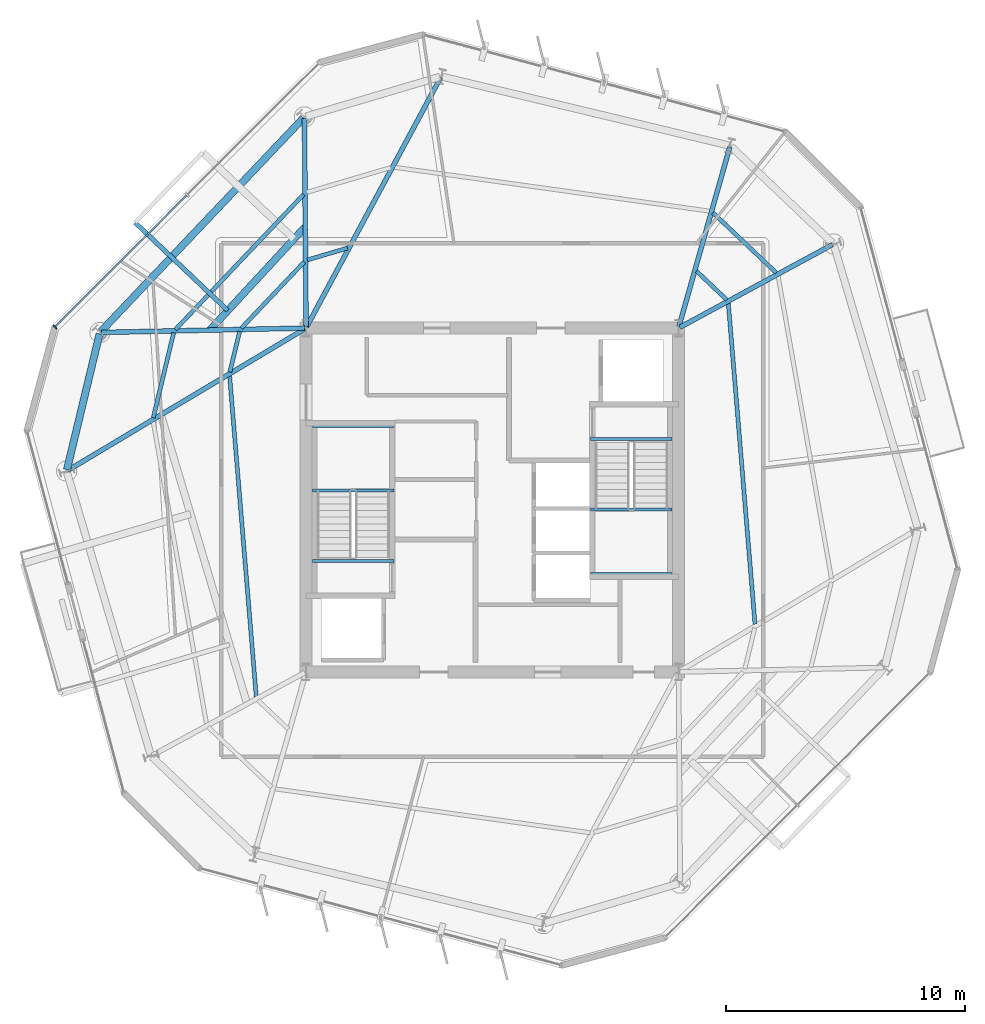
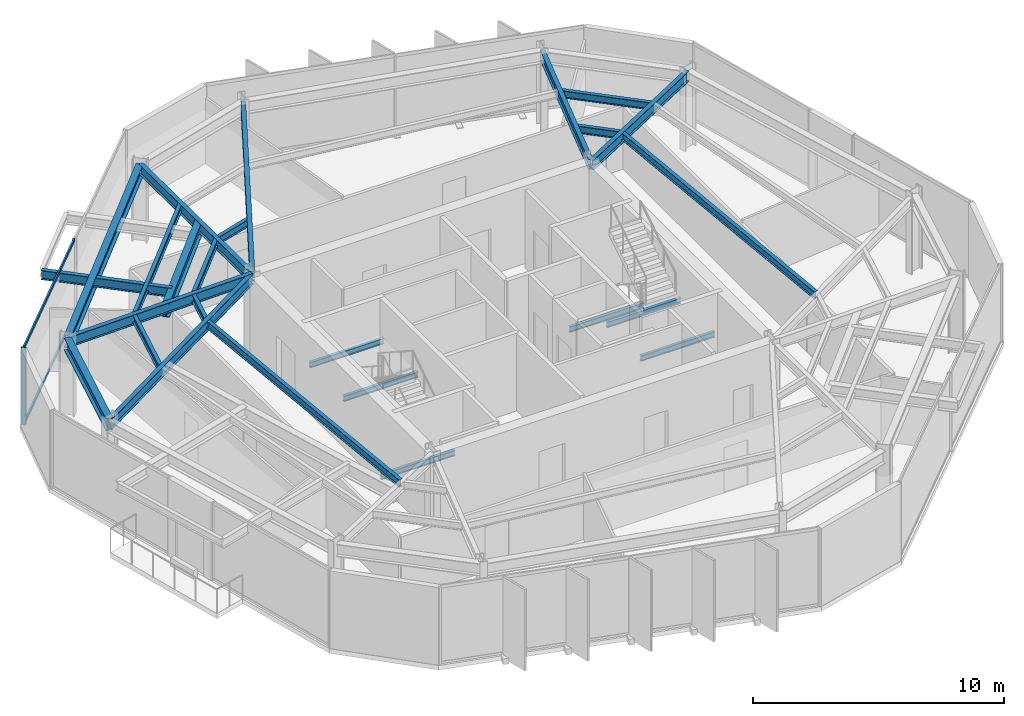
# One storey, part 4 of 12: 25 beams, 3 members, 1 element without a shape of its own.
"""IFC4 building model written with IfcOpenShell, lengths in metres."""

from ifc_helpers import new_model, si_unit, direction, frame, origin, origin_2d, place, context, subcontext, project, spatial, rectangle, i_section, extrude, material, layer, layer_set, material_profile, profile_set, type_object, element, aggregate, save


model = new_model("IFC4")

# Units and contexts
model_context = context("Model", 3, precision=1e-05, world=origin(), true_north=direction((0.0, 1.0)))
body_context = subcontext(model_context, "Body", "Model", "MODEL_VIEW")
ifc_project = project(units=[si_unit("LENGTHUNIT", "METRE"), si_unit("AREAUNIT", "SQUARE_METRE"), si_unit("VOLUMEUNIT", "CUBIC_METRE"), si_unit("PLANEANGLEUNIT", "RADIAN"), si_unit("MASSUNIT", "GRAM", prefix="KILO")], contexts=[model_context])

# Site, building, storey
site_placement = place(None, origin())
site = spatial("IfcSite", under=ifc_project, at=site_placement, CompositionType="ELEMENT")
building_placement = place(site_placement, origin())
building = spatial("IfcBuilding", under=site, at=building_placement, Name="Kranzbogen Civic Tower", CompositionType="ELEMENT")
storey_placement = place(building_placement, frame((0.0, 0.0, 204.800048828125)))
storey = spatial("IfcBuildingStorey", under=building, at=storey_placement, Name="L49", CompositionType="ELEMENT", Elevation=204.800048828125)

# Beam
ifc_material_1 = material(Name="Steel S355", Category="steel")
ifc_material_profile_1 = material_profile(ifc_material_1, i_section(OverallWidth=0.18994140625, OverallDepth=0.449951171875, WebThickness=0.009521484375, FlangeThickness=0.0146484375, at=origin_2d()), Name="IPE 450")
ifc_profile_set_1 = profile_set([ifc_material_profile_1], Name="Steel S355")
beam_type_1 = type_object("IfcBeamType", Name="Braced Terrace Edge Beam IPE 450", PredefinedType="BEAM", material=ifc_profile_set_1)
beam_1_placement = place(storey_placement, frame((13.924072265625, 32.93408203125, 3.52490234375), z_axis=(-0.725467201418, 0.688256739645, 0.0), x_axis=(-0.688256739645, -0.725467201418, 0.0)))
element("IfcBeam", 1, at=beam_1_placement, inside=storey, type_object=beam_type_1, Name="L50 back-spanned terrace beam L50-TB1-2", PredefinedType="BEAM", context=body_context, shape_type="SweptSolid", body=[
    extrude(i_section(OverallWidth=0.18994140625, OverallDepth=0.449951171875, WebThickness=0.009521484375, FlangeThickness=0.0146484375, at=origin_2d()), origin(), (0.0, 0.0, 1.0), 5.353759765625),
])

# Curtain wall, members
ifc_material_2 = material(Name="Pale Anodised Aluminium", Category="aluminium")
ifc_layer = layer(ifc_material_2, 0.219970703125, Name="Pale Anodised Aluminium")
ifc_layer_set = layer_set([ifc_layer], Name="Pale Anodised Aluminium")
curtain_wall_type = type_object("IfcCurtainWallType", Name="Zone 3 Stick Curtain Wall System CW-04", PredefinedType="USERDEFINED", material=ifc_layer_set)
curtain_wall_placement = place(storey_placement, origin())
curtain_wall = element("IfcCurtainWall", 2, at=curtain_wall_placement, inside=storey, type_object=curtain_wall_type, Name="L49 curtain wall CW-L49-F2", ObjectType="STICK CURTAIN WALL", PredefinedType="USERDEFINED")
ifc_material_profile_2 = material_profile(ifc_material_2, rectangle(XDim=0.070068359375, YDim=0.199951171875, at=origin_2d()), Name="ALU-M 70x200")
ifc_profile_set_2 = profile_set([ifc_material_profile_2], Name="Pale Anodised Aluminium")
member_type_1 = type_object("IfcMemberType", Name="Curtain Wall Mullion ALU-M 70x200", PredefinedType="MULLION", material=ifc_profile_set_2)
member_1_placement = place(storey_placement, frame((6.689208984375, 32.24609375, 0.0), z_axis=(0.0, 0.0, 1.0), x_axis=(-0.707106781187, -0.707106781187, 0.0)))
member_1 = element("IfcMember", 3, at=member_1_placement, type_object=member_type_1, Name="CW-04 mullion 3", PredefinedType="MULLION", context=body_context, shape_type="SweptSolid", body=[
    extrude(rectangle(XDim=0.070068359375, YDim=0.199951171875, at=origin_2d()), origin(), (0.0, 0.0, 1.0), 3.780029296875),
])
ifc_material_profile_3 = material_profile(ifc_material_2, rectangle(XDim=0.070068359375, YDim=0.14990234375, at=origin_2d()), Name="ALU-T 70x150")
ifc_profile_set_3 = profile_set([ifc_material_profile_3], Name="Pale Anodised Aluminium")
member_type_2 = type_object("IfcMemberType", Name="Curtain Wall Transom ALU-T 70x150", PredefinedType="USERDEFINED", material=ifc_profile_set_3)
member_2_placement = place(storey_placement, frame((12.2001953125, 37.75732421875, 0.030029296875), z_axis=(-0.707091058094, -0.70712250393, 0.0), x_axis=(0.70712250393, -0.707091058094, 0.0)))
member_2 = element("IfcMember", 4, at=member_2_placement, type_object=member_type_2, Name="CW-04 transom 2.1", ObjectType="TRANSOM", PredefinedType="USERDEFINED", context=body_context, shape_type="SweptSolid", body=[
    extrude(rectangle(XDim=0.070068359375, YDim=0.14990234375, at=origin_2d()), origin(), (0.0, 0.0, 1.0), 7.763916015625),
])
member_3_placement = place(storey_placement, frame((12.2001953125, 37.75732421875, 3.75), z_axis=(-0.707091058094, -0.70712250393, 0.0), x_axis=(0.70712250393, -0.707091058094, 0.0)))
member_3 = element("IfcMember", 5, at=member_3_placement, type_object=member_type_2, Name="CW-04 transom 2.2", ObjectType="TRANSOM", PredefinedType="USERDEFINED", context=body_context, shape_type="SweptSolid", body=[
    extrude(rectangle(XDim=0.070068359375, YDim=0.14990234375, at=origin_2d()), origin(), (0.0, 0.0, 1.0), 7.763916015625),
])
aggregate(curtain_wall, [member_1, member_2, member_3])

# Beams
ifc_material_profile_4 = material_profile(ifc_material_1, i_section(OverallWidth=0.300048828125, OverallDepth=0.60009765625, WebThickness=0.015380859375, FlangeThickness=0.030029296875, at=origin_2d()), Name="HEB 600")
ifc_profile_set_4 = profile_set([ifc_material_profile_4], Name="Steel S355")
beam_type_2 = type_object("IfcBeamType", Name="Perimeter Tube Spandrel Beam HEB 600", PredefinedType="SPANDREL", material=ifc_profile_set_4)
beam_2_placement = place(storey_placement, frame((17.092041015625, 41.0, 3.47998046875), z_axis=(-0.688373497874, -0.725356414065, 0.0), x_axis=(0.725356414065, -0.688373497874, 0.0)))
element("IfcBeam", 6, at=beam_2_placement, inside=storey, type_object=beam_type_2, Name="L49 perimeter spandrel beam 10", PredefinedType="SPANDREL", context=body_context, shape_type="SweptSolid", body=[
    extrude(i_section(OverallWidth=0.300048828125, OverallDepth=0.60009765625, WebThickness=0.015380859375, FlangeThickness=0.030029296875, at=origin_2d()), origin(), (0.0, 0.0, 1.0), 12.324951171875),
])
beam_3_placement = place(storey_placement, frame((8.552978515625, 31.9580078125, 3.47998046875), z_axis=(-0.233554380434, -0.972343741369, 0.0), x_axis=(0.972343741369, -0.233554380434, 0.0)))
element("IfcBeam", 7, at=beam_3_placement, inside=storey, type_object=beam_type_2, Name="L49 perimeter spandrel beam 11", PredefinedType="SPANDREL", context=body_context, shape_type="SweptSolid", body=[
    extrude(i_section(OverallWidth=0.300048828125, OverallDepth=0.60009765625, WebThickness=0.015380859375, FlangeThickness=0.030029296875, at=origin_2d()), origin(), (0.0, 0.0, 1.0), 5.852783203125),
])
ifc_material_profile_5 = material_profile(ifc_material_1, i_section(OverallWidth=0.300048828125, OverallDepth=0.699951171875, WebThickness=0.01708984375, FlangeThickness=0.031982421875, at=origin_2d()), Name="HEB 700")
ifc_profile_set_5 = profile_set([ifc_material_profile_5], Name="Steel S355")
beam_type_3 = type_object("IfcBeamType", Name="Perimeter Tube Spandrel Beam HEB 700", PredefinedType="SPANDREL", material=ifc_profile_set_5)
beam_4_placement = place(storey_placement, frame((17.16796875, 36.444091796875, 3.39990234375), z_axis=(-0.678733988671, -0.734384213218, 0.0), x_axis=(0.734384213218, -0.678733988671, 0.0)))
element("IfcBeam", 8, at=beam_4_placement, inside=storey, type_object=beam_type_3, Name="L50 balcony back-span header girder L50-TB1", PredefinedType="SPANDREL", context=body_context, shape_type="SweptSolid", body=[
    extrude(i_section(OverallWidth=0.300048828125, OverallDepth=0.699951171875, WebThickness=0.01708984375, FlangeThickness=0.031982421875, at=origin_2d()), origin(), (0.0, 0.0, 1.0), 5.896240234375),
])
ifc_material_profile_6 = material_profile(ifc_material_1, i_section(OverallWidth=0.199951171875, OverallDepth=0.5, WebThickness=0.01025390625, FlangeThickness=0.01611328125, at=origin_2d()), Name="IPE 500")
ifc_profile_set_6 = profile_set([ifc_material_profile_6], Name="Steel S355")
beam_type_4 = type_object("IfcBeamType", Name="Radial Tower Floor Girder IPE 500", PredefinedType="BEAM", material=ifc_profile_set_6)
beam_5_placement = place(storey_placement, frame((39.239990234375, 35.695068359375, 3.530029296875), z_axis=(-0.878919430102, -0.476970266777, 0.0), x_axis=(0.476970266777, -0.878919430102, 0.0)))
element("IfcBeam", 9, at=beam_5_placement, inside=storey, type_object=beam_type_4, Name="L49 radial floor girder 07", PredefinedType="BEAM", context=body_context, shape_type="SweptSolid", body=[
    extrude(i_section(OverallWidth=0.199951171875, OverallDepth=0.5, WebThickness=0.01025390625, FlangeThickness=0.01611328125, at=origin_2d()), origin(), (0.0, 0.0, 1.0), 7.266845703125),
])
beam_6_placement = place(storey_placement, frame((34.945068359375, 39.777099609375, 3.530029296875), z_axis=(-0.272455078988, -0.962168503919, 0.0), x_axis=(0.962168503919, -0.272455078988, 0.0)))
element("IfcBeam", 10, at=beam_6_placement, inside=storey, type_object=beam_type_4, Name="L49 radial floor girder 08", PredefinedType="BEAM", context=body_context, shape_type="SweptSolid", body=[
    extrude(i_section(OverallWidth=0.199951171875, OverallDepth=0.5, WebThickness=0.01025390625, FlangeThickness=0.01611328125, at=origin_2d()), origin(), (0.0, 0.0, 1.0), 7.814697265625),
])
beam_7_placement = place(storey_placement, frame((22.83203125, 42.68701171875, 3.530029296875), z_axis=(-0.473160413549, -0.880976289721, 0.0), x_axis=(0.880976289721, -0.473160413549, 0.0)))
element("IfcBeam", 11, at=beam_7_placement, inside=storey, type_object=beam_type_4, Name="L49 radial floor girder 09", PredefinedType="BEAM", context=body_context, shape_type="SweptSolid", body=[
    extrude(i_section(OverallWidth=0.199951171875, OverallDepth=0.5, WebThickness=0.01025390625, FlangeThickness=0.01611328125, at=origin_2d()), origin(), (0.0, 0.0, 1.0), 11.84375),
])
beam_8_placement = place(storey_placement, frame((17.133056640625, 40.98388671875, 3.530029296875), z_axis=(0.007667756557, -0.999970602323, 0.0), x_axis=(0.999970602323, 0.007667756557, 0.0)))
element("IfcBeam", 12, at=beam_8_placement, inside=storey, type_object=beam_type_4, Name="L49 radial floor girder 10", PredefinedType="BEAM", context=body_context, shape_type="SweptSolid", body=[
    extrude(i_section(OverallWidth=0.199951171875, OverallDepth=0.5, WebThickness=0.01025390625, FlangeThickness=0.01611328125, at=origin_2d()), origin(), (0.0, 0.0, 1.0), 8.72412109375),
])
beam_9_placement = place(storey_placement, frame((8.626953125, 32.01708984375, 3.530029296875), z_axis=(0.99977183191, 0.021360808018, 0.0), x_axis=(-0.021360808018, 0.99977183191, 0.0)))
element("IfcBeam", 13, at=beam_9_placement, inside=storey, type_object=beam_type_4, Name="L49 radial floor girder 11", PredefinedType="BEAM", context=body_context, shape_type="SweptSolid", body=[
    extrude(i_section(OverallWidth=0.199951171875, OverallDepth=0.5, WebThickness=0.01025390625, FlangeThickness=0.01611328125, at=origin_2d()), origin(), (0.0, 0.0, 1.0), 8.514892578125),
])
beam_10_placement = place(storey_placement, frame((7.22412109375, 26.239990234375, 3.530029296875), z_axis=(0.858458551809, 0.512882944565, 0.0), x_axis=(-0.512882944565, 0.858458551809, 0.0)))
element("IfcBeam", 14, at=beam_10_placement, inside=storey, type_object=beam_type_4, Name="L49 radial floor girder 12", PredefinedType="BEAM", context=body_context, shape_type="SweptSolid", body=[
    extrude(i_section(OverallWidth=0.199951171875, OverallDepth=0.5, WebThickness=0.01025390625, FlangeThickness=0.01611328125, at=origin_2d()), origin(), (0.0, 0.0, 1.0), 11.56005859375),
])
ifc_material_profile_7 = material_profile(ifc_material_1, i_section(OverallWidth=0.169921875, OverallDepth=0.360107421875, WebThickness=0.008056640625, FlangeThickness=0.0126953125, at=origin_2d()), Name="IPE 360")
ifc_profile_set_7 = profile_set([ifc_material_profile_7], Name="Steel S355")
beam_type_5 = type_object("IfcBeamType", Name="Secondary Composite Floor Joist IPE 360", PredefinedType="JOIST", material=ifc_profile_set_7)
beam_11_placement = place(storey_placement, frame((36.001953125, 19.797119140625, 3.599853515625), z_axis=(-0.082825426692, 0.996564071544, 0.0), x_axis=(-0.996564071544, -0.082825426692, 0.0)))
element("IfcBeam", 15, at=beam_11_placement, inside=storey, type_object=beam_type_5, Name="L49 secondary floor joist 2.06", PredefinedType="JOIST", context=body_context, shape_type="SweptSolid", body=[
    extrude(i_section(OverallWidth=0.169921875, OverallDepth=0.360107421875, WebThickness=0.008056640625, FlangeThickness=0.0126953125, at=origin_2d()), origin(), (0.0, 0.0, 1.0), 13.497314453125),
])
beam_12_placement = place(storey_placement, frame((36.89697265625, 34.510009765625, 3.599853515625), z_axis=(-0.725300648604, 0.688432254572, 0.0), x_axis=(-0.688432254572, -0.725300648604, 0.0)))
element("IfcBeam", 16, at=beam_12_placement, inside=storey, type_object=beam_type_5, Name="L49 secondary floor joist 1.07", PredefinedType="JOIST", context=body_context, shape_type="SweptSolid", body=[
    extrude(i_section(OverallWidth=0.169921875, OverallDepth=0.360107421875, WebThickness=0.008056640625, FlangeThickness=0.0126953125, at=origin_2d()), origin(), (0.0, 0.0, 1.0), 3.661865234375),
])
beam_13_placement = place(storey_placement, frame((34.820068359375, 33.383056640625, 3.599853515625), z_axis=(-0.725479767774, 0.688243493649, 0.0), x_axis=(-0.688243493649, -0.725479767774, 0.0)))
element("IfcBeam", 17, at=beam_13_placement, inside=storey, type_object=beam_type_5, Name="L49 secondary floor joist 2.07", PredefinedType="JOIST", context=body_context, shape_type="SweptSolid", body=[
    extrude(i_section(OverallWidth=0.169921875, OverallDepth=0.360107421875, WebThickness=0.008056640625, FlangeThickness=0.0126953125, at=origin_2d()), origin(), (0.0, 0.0, 1.0), 1.75048828125),
])
beam_14_placement = place(storey_placement, frame((18.93408203125, 35.550048828125, 3.599853515625), z_axis=(-0.958871214757, -0.283841493638, 0.0), x_axis=(0.283841493638, -0.958871214757, 0.0)))
element("IfcBeam", 18, at=beam_14_placement, inside=storey, type_object=beam_type_5, Name="L49 secondary floor joist 2.09", PredefinedType="JOIST", context=body_context, shape_type="SweptSolid", body=[
    extrude(i_section(OverallWidth=0.169921875, OverallDepth=0.360107421875, WebThickness=0.008056640625, FlangeThickness=0.0126953125, at=origin_2d()), origin(), (0.0, 0.0, 1.0), 1.751220703125),
])
beam_15_placement = place(storey_placement, frame((17.10205078125, 37.802001953125, 3.599853515625), z_axis=(-0.688282381634, -0.725442873789, 0.0), x_axis=(0.725442873789, -0.688282381634, 0.0)))
element("IfcBeam", 19, at=beam_15_placement, inside=storey, type_object=beam_type_5, Name="L49 secondary floor joist 1.10", PredefinedType="JOIST", context=body_context, shape_type="SweptSolid", body=[
    extrude(i_section(OverallWidth=0.169921875, OverallDepth=0.360107421875, WebThickness=0.008056640625, FlangeThickness=0.0126953125, at=origin_2d()), origin(), (0.0, 0.0, 1.0), 7.804931640625),
])
beam_16_placement = place(storey_placement, frame((17.123046875, 34.971923828125, 3.599853515625), z_axis=(-0.688175084876, -0.725544659243, 0.0), x_axis=(0.725544659243, -0.688175084876, 0.0)))
element("IfcBeam", 20, at=beam_16_placement, inside=storey, type_object=beam_type_5, Name="L49 secondary floor joist 2.10", PredefinedType="JOIST", context=body_context, shape_type="SweptSolid", body=[
    extrude(i_section(OverallWidth=0.169921875, OverallDepth=0.360107421875, WebThickness=0.008056640625, FlangeThickness=0.0126953125, at=origin_2d()), origin(), (0.0, 0.0, 1.0), 3.82177734375),
])
beam_17_placement = place(storey_placement, frame((11.656005859375, 32.00390625, 3.599853515625), z_axis=(-0.233534367714, -0.972348548154, 0.0), x_axis=(0.972348548154, -0.233534367714, 0.0)))
element("IfcBeam", 21, at=beam_17_placement, inside=storey, type_object=beam_type_5, Name="L49 secondary floor joist 1.11", PredefinedType="JOIST", context=body_context, shape_type="SweptSolid", body=[
    extrude(i_section(OverallWidth=0.169921875, OverallDepth=0.360107421875, WebThickness=0.008056640625, FlangeThickness=0.0126953125, at=origin_2d()), origin(), (0.0, 0.0, 1.0), 3.6611328125),
])
beam_18_placement = place(storey_placement, frame((14.4189453125, 32.06298828125, 3.599853515625), z_axis=(-0.233631438607, -0.972325228972, 0.0), x_axis=(0.972325228972, -0.233631438607, 0.0)))
element("IfcBeam", 22, at=beam_18_placement, inside=storey, type_object=beam_type_5, Name="L49 secondary floor joist 2.11", PredefinedType="JOIST", context=body_context, shape_type="SweptSolid", body=[
    extrude(i_section(OverallWidth=0.169921875, OverallDepth=0.360107421875, WebThickness=0.008056640625, FlangeThickness=0.0126953125, at=origin_2d()), origin(), (0.0, 0.0, 1.0), 1.750244140625),
])
beam_19_placement = place(storey_placement, frame((13.998046875, 30.202880859375, 3.599853515625), z_axis=(0.082825426692, -0.996564071544, 0.0), x_axis=(0.996564071544, 0.082825426692, 0.0)))
element("IfcBeam", 23, at=beam_19_placement, inside=storey, type_object=beam_type_5, Name="L49 secondary floor joist 2.12", PredefinedType="JOIST", context=body_context, shape_type="SweptSolid", body=[
    extrude(i_section(OverallWidth=0.169921875, OverallDepth=0.360107421875, WebThickness=0.008056640625, FlangeThickness=0.0126953125, at=origin_2d()), origin(), (0.0, 0.0, 1.0), 13.497314453125),
])
ifc_material_profile_8 = material_profile(ifc_material_1, i_section(OverallWidth=0.135009765625, OverallDepth=0.27001953125, WebThickness=0.006591796875, FlangeThickness=0.01025390625, at=origin_2d()), Name="IPE 270")
ifc_profile_set_8 = profile_set([ifc_material_profile_8], Name="Steel S355")
beam_type_6 = type_object("IfcBeamType", Name="Stair Landing Support Beam IPE 270", PredefinedType="JOIST", material=ifc_profile_set_8)
for number, where, z_axis, x_axis, name in (
    (24, (20.8798828125, 22.43994140625, -0.35498046875), (-1.0, 0.0, 0.0), (0.0, -1.0, 0.0), "L49 ST-T1 stair floor header beam"),
    (25, (20.8798828125, 25.39990234375, 1.6650390625), (-1.0, 0.0, 0.0), (0.0, -1.0, 0.0), "L49 ST-T1 landing support beam 1.1"),
    (26, (20.8798828125, 28.10009765625, 1.6650390625), (-1.0, 0.0, 0.0), (0.0, -1.0, 0.0), "L49 ST-T1 landing support beam 1.2"),
    (27, (29.1201171875, 27.56005859375, -0.35498046875), (1.0, 0.0, 0.0), (0.0, 1.0, 0.0), "L49 ST-T2 stair floor header beam"),
    (28, (29.1201171875, 24.60009765625, 1.6650390625), (1.0, 0.0, 0.0), (0.0, 1.0, 0.0), "L49 ST-T2 landing support beam 1.1"),
    (29, (29.1201171875, 21.89990234375, 1.6650390625), (1.0, 0.0, 0.0), (0.0, 1.0, 0.0), "L49 ST-T2 landing support beam 1.2"),
):
    element("IfcBeam", number, at=place(storey_placement, frame(where, z_axis=z_axis, x_axis=x_axis)), inside=storey, type_object=beam_type_6, Name=name, PredefinedType="JOIST", context=body_context, shape_type="SweptSolid", body=[
        extrude(i_section(OverallWidth=0.135009765625, OverallDepth=0.27001953125, WebThickness=0.006591796875, FlangeThickness=0.01025390625, at=origin_2d()), origin(), (0.0, 0.0, 1.0), 3.409912109375),
    ])

save(model, "model.ifc")
